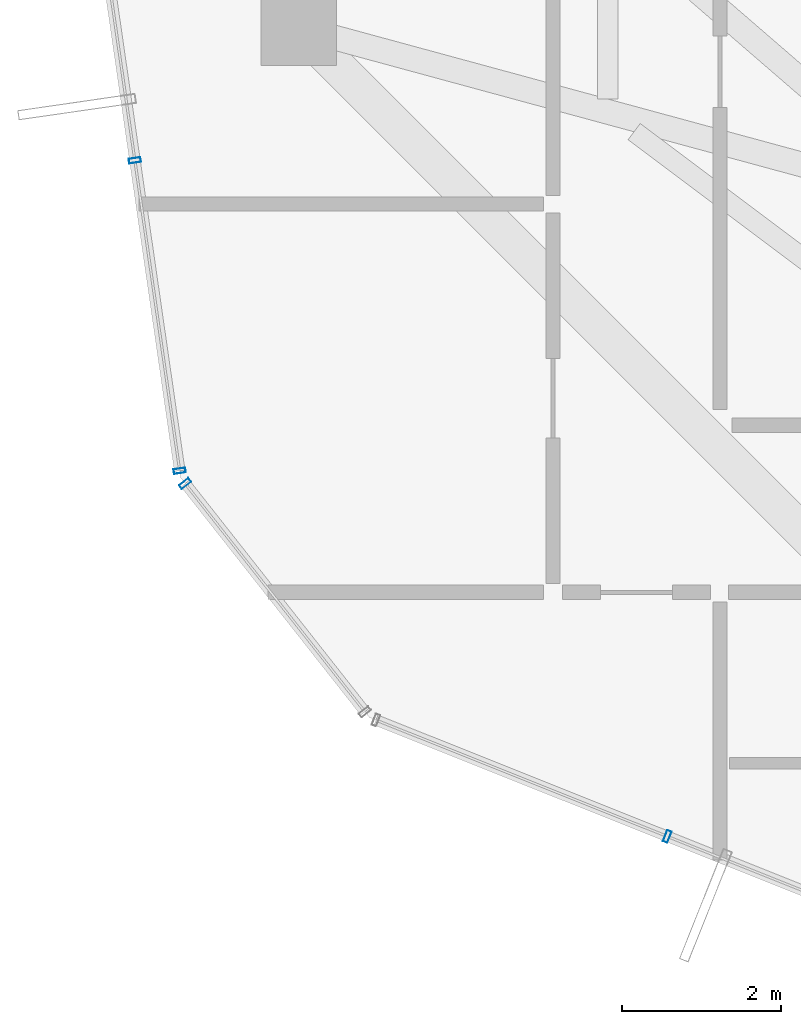
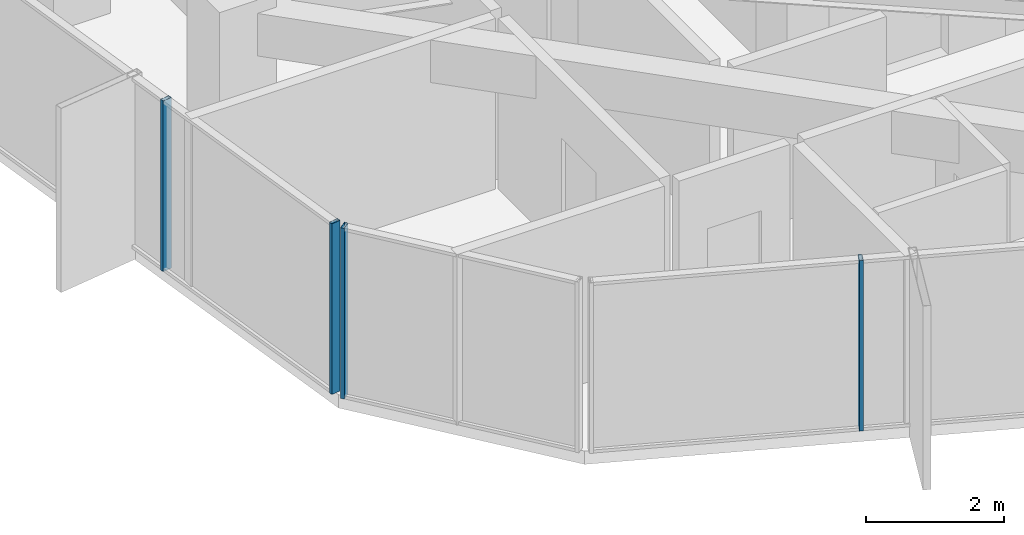
# One storey, part 4 of 31: 4 members, 3 elements without a shape of their own.
"""IFC4 building model written with IfcOpenShell, lengths in metres."""

from ifc_helpers import new_model, si_unit, direction, frame, origin, origin_2d, place, context, subcontext, project, spatial, hollow_rectangle, extrude, source, transform, mapped, material, layer, layer_set, material_profile, profile_set, type_object, element, aggregate, save


model = new_model("IFC4")

# Units and contexts
model_context = context("Model", 3, precision=1e-05, world=origin(), true_north=direction((0.0, 1.0)))
body_context = subcontext(model_context, "Body", "Model", "MODEL_VIEW")
ifc_project = project(units=[si_unit("LENGTHUNIT", "METRE"), si_unit("AREAUNIT", "SQUARE_METRE"), si_unit("VOLUMEUNIT", "CUBIC_METRE"), si_unit("PLANEANGLEUNIT", "RADIAN"), si_unit("MASSUNIT", "GRAM", prefix="KILO")], contexts=[model_context])

# Site, building, storey
site_placement = place(None, origin())
site = spatial("IfcSite", under=ifc_project, at=site_placement, CompositionType="ELEMENT")
building_placement = place(site_placement, origin())
building = spatial("IfcBuilding", under=site, at=building_placement, Name="Veraguas Prism Commons", CompositionType="ELEMENT")
storey_placement = place(building_placement, frame((0.0, 0.0, 178.85009765625)))
storey = spatial("IfcBuildingStorey", under=building, at=storey_placement, Name="L50", CompositionType="ELEMENT", Elevation=178.85009765625)

# Curtain wall, members
ifc_material = material(Name="Anodised aluminium EN AW-6063 T6", Category="aluminium")
ifc_layer = layer(ifc_material, 0.14990234375, Name="Unitised Flush Curtain Wall Zone 3", Category="aluminium")
ifc_layer_set = layer_set([ifc_layer], Name="Anodised aluminium EN AW-6063 T6")
curtain_wall_type = type_object("IfcCurtainWallType", Name="Unitised Flush Curtain Wall Zone 3", PredefinedType="NOTDEFINED", material=ifc_layer_set)
curtain_wall_1_placement = place(storey_placement, origin())
curtain_wall_1 = element("IfcCurtainWall", 1, at=curtain_wall_1_placement, inside=storey, type_object=curtain_wall_type, Name="Tower Facade Curtain Wall L50-F3", PredefinedType="NOTDEFINED")
ifc_material_profile = material_profile(ifc_material, hollow_rectangle(XDim=0.06005859375, YDim=0.14990234375, WallThickness=0.0029296875, at=origin_2d()), Name="AL60X150X3")
ifc_profile_set = profile_set([ifc_material_profile], Name="Anodised aluminium EN AW-6063 T6")
member_type = type_object("IfcMemberType", Name="Curtain Wall Mullion Upper AL 60x150x3", PredefinedType="MULLION", material=ifc_profile_set)
shared_shape = source(origin(), body_context, "Body", "SweptSolid", [
    extrude(hollow_rectangle(XDim=0.06005859375, YDim=0.14990234375, WallThickness=0.0029296875, at=origin_2d()), origin(), (0.0, 0.0, 1.0), 3.014892578125),
])
member_1_placement = place(storey_placement, frame((7.0400390625, 17.533203125, 0.0), z_axis=(0.0, 0.0, 1.0), x_axis=(0.142972694692, -0.989726633254, 0.0)))
member_1 = element("IfcMember", 2, at=member_1_placement, type_object=member_type, Name="CW-Z3 Mullion 4", PredefinedType="MULLION", context=body_context, shape_type="MappedRepresentation", body=[
    mapped(shared_shape, transform((0.0, 0.0, 0.0), scale=1.0)),
])
member_2_placement = place(storey_placement, frame((7.604248046875, 13.628173828125, 0.0), z_axis=(0.0, 0.0, 1.0), x_axis=(0.142972694692, -0.989726633254, 0.0)))
member_2 = element("IfcMember", 3, at=member_2_placement, type_object=member_type, Name="CW-Z3 Mullion 5", PredefinedType="MULLION", context=body_context, shape_type="MappedRepresentation", body=[
    mapped(shared_shape, transform((0.0, 0.0, 0.0), scale=1.0)),
])
aggregate(curtain_wall_1, [member_1, member_2])

# Curtain wall, member
curtain_wall_2_placement = place(storey_placement, origin())
curtain_wall_2 = element("IfcCurtainWall", 4, at=curtain_wall_2_placement, inside=storey, type_object=curtain_wall_type, Name="Tower Facade Curtain Wall L50-F4", PredefinedType="NOTDEFINED")
member_3_placement = place(storey_placement, frame((13.73681640625, 9.029052734375, 0.0), z_axis=(0.0, 0.0, 1.0), x_axis=(0.928617992492, -0.37103722727, 0.0)))
member_3 = element("IfcMember", 5, at=member_3_placement, type_object=member_type, Name="CW-Z3 Mullion 2", PredefinedType="MULLION", context=body_context, shape_type="MappedRepresentation", body=[
    mapped(shared_shape, transform((0.0, 0.0, 0.0), scale=1.0)),
])
aggregate(curtain_wall_2, [member_3])

curtain_wall_3_placement = place(storey_placement, origin())
curtain_wall_3 = element("IfcCurtainWall", 6, at=curtain_wall_3_placement, inside=storey, type_object=curtain_wall_type, Name="Chamfer Curtain Wall L50-C4", PredefinedType="NOTDEFINED")
member_4_placement = place(storey_placement, frame((7.6728515625, 13.46826171875, 0.0), z_axis=(0.0, 0.0, 1.0), x_axis=(0.618678559866, -0.785644219454, 0.0)))
member_4 = element("IfcMember", 7, at=member_4_placement, type_object=member_type, Name="CW-Z3 Mullion 1", PredefinedType="MULLION", context=body_context, shape_type="MappedRepresentation", body=[
    mapped(shared_shape, transform((0.0, 0.0, 0.0), scale=1.0)),
])
aggregate(curtain_wall_3, [member_4])

save(model, "model.ifc")
